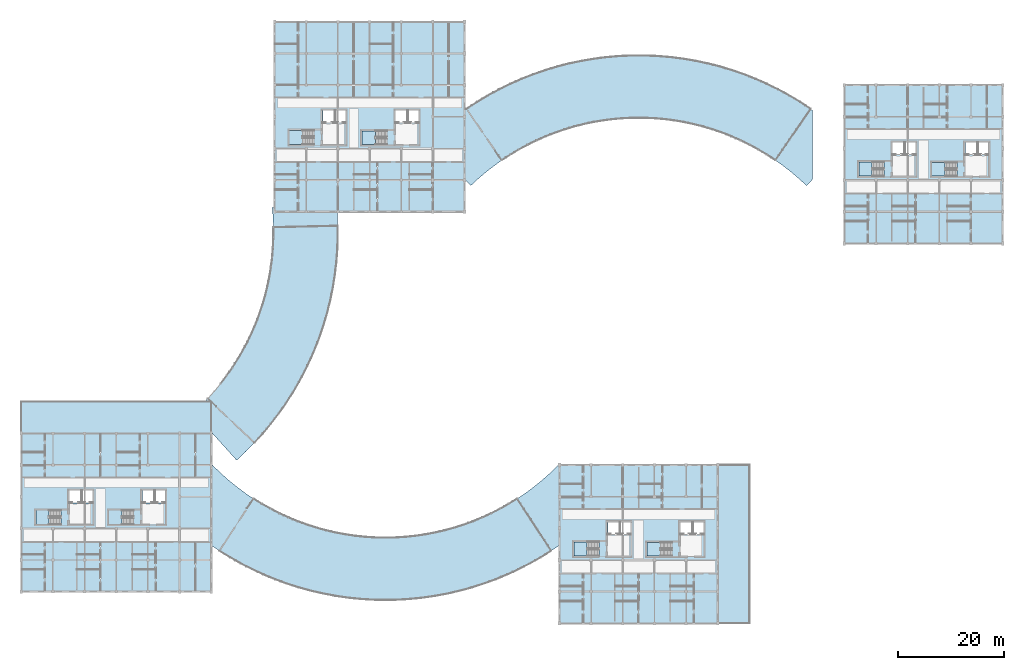
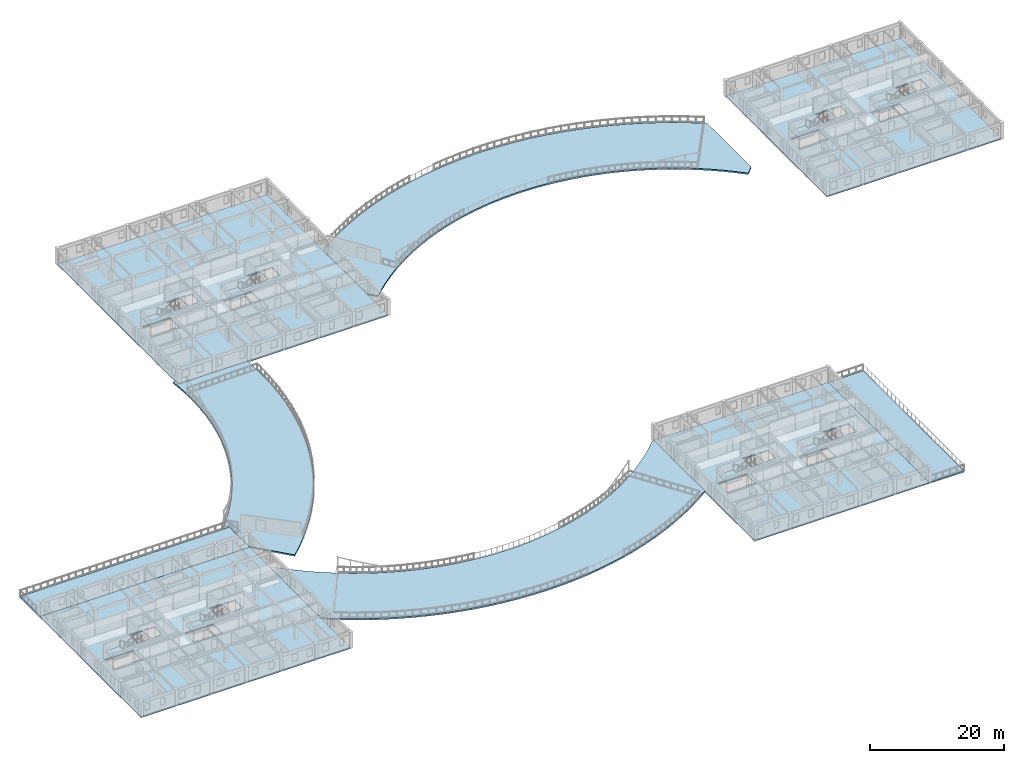
# One storey, part 24 of 58: 17 slabs, 8 elements without a shape of their own.
"""IFC4 building model written with IfcOpenShell, lengths in metres."""

from ifc_helpers import new_model, si_unit, direction, frame, origin, place, context, subcontext, project, spatial, polyline, outline, extrude, material, layer, layer_set, type_object, element, aggregate, save


model = new_model("IFC4")

# Units and contexts
model_context = context("Model", 3, precision=1e-05, world=origin(), true_north=direction((0.0, 1.0)))
body_context = subcontext(model_context, "Body", "Model", "MODEL_VIEW")
ifc_project = project(units=[si_unit("LENGTHUNIT", "METRE"), si_unit("AREAUNIT", "SQUARE_METRE"), si_unit("VOLUMEUNIT", "CUBIC_METRE"), si_unit("PLANEANGLEUNIT", "RADIAN"), si_unit("MASSUNIT", "GRAM", prefix="KILO"), si_unit("POWERUNIT", "WATT"), si_unit("THERMODYNAMICTEMPERATUREUNIT", "KELVIN")], contexts=[model_context])

# Site, building, storey
site_placement = place(None, origin())
site = spatial("IfcSite", under=ifc_project, at=site_placement, CompositionType="ELEMENT")
building_placement = place(site_placement, origin())
building = spatial("IfcBuilding", under=site, at=building_placement, Name="Ruvembo Vaulted Housing Court", CompositionType="ELEMENT")
storey_placement = place(building_placement, frame((0.0, 0.0, 20.5)))
storey = spatial("IfcBuildingStorey", under=building, at=storey_placement, Name="L06", CompositionType="ELEMENT", Elevation=20.5)

# Slabs
ifc_material_1 = material(Name="Concrete C30/37", Category="concrete")
ifc_layer_1 = layer(ifc_material_1, 0.235107421875, Name="Concrete C30/37")
ifc_layer_set_1 = layer_set([ifc_layer_1], Name="Concrete C30/37")
slab_type_1 = type_object("IfcSlabType", Name="SL-FLR-235", PredefinedType="FLOOR", material=ifc_layer_set_1)
slab_1_placement = place(storey_placement, frame((0.0, 0.0, -0.235107421875)))
element("IfcSlab", 1, at=slab_1_placement, inside=storey, type_object=slab_type_1, Name="Block A L06 Structural Floor Slab", PredefinedType="FLOOR", context=body_context, shape_type="SweptSolid", body=[
    extrude(outline(polyline([(36.0, 6.0), (36.0, 36.0), (0.0, 36.0), (0.0, 6.0), (36.0, 6.0)]), holes=[polyline([(7.5, 21.449951171875), (2.75, 21.449951171875), (2.75, 18.75), (7.5, 18.75), (7.5, 21.449951171875)]), polyline([(9.14990234375, 22.85009765625), (11.35009765625, 22.85009765625), (11.35009765625, 25.25), (9.14990234375, 25.25), (9.14990234375, 22.85009765625)]), polyline([(11.60009765625, 22.85009765625), (13.449951171875, 22.85009765625), (13.449951171875, 25.25), (11.60009765625, 25.25), (11.60009765625, 22.85009765625)]), polyline([(21.300048828125, 21.449951171875), (16.550048828125, 21.449951171875), (16.550048828125, 18.75), (21.300048828125, 18.75), (21.300048828125, 21.449951171875)]), polyline([(22.949951171875, 22.85009765625), (25.14990234375, 22.85009765625), (25.14990234375, 25.25), (22.949951171875, 25.25), (22.949951171875, 22.85009765625)]), polyline([(25.39990234375, 22.85009765625), (27.25, 22.85009765625), (27.25, 25.25), (25.39990234375, 25.25), (25.39990234375, 22.85009765625)])]), origin(), (0.0, 0.0, 1.0), 0.235107421875),
])
slab_2_placement = place(storey_placement, frame((0.0, 0.0, -0.235107421875)))
element("IfcSlab", 2, at=slab_2_placement, inside=storey, type_object=slab_type_1, Name="Block B L06 Structural Floor Slab", PredefinedType="FLOOR", context=body_context, shape_type="SweptSolid", body=[
    extrude(outline(polyline([(84.0, 78.0), (84.0, 114.0), (48.0, 114.0), (48.0, 78.0), (84.0, 78.0)]), holes=[polyline([(55.5, 93.449951171875), (50.75, 93.449951171875), (50.75, 90.75), (55.5, 90.75), (55.5, 93.449951171875)]), polyline([(57.14990234375, 94.85009765625), (59.35009765625, 94.85009765625), (59.35009765625, 97.25), (57.14990234375, 97.25), (57.14990234375, 94.85009765625)]), polyline([(59.60009765625, 94.85009765625), (61.449951171875, 94.85009765625), (61.449951171875, 97.25), (59.60009765625, 97.25), (59.60009765625, 94.85009765625)]), polyline([(69.35009765625, 93.35009765625), (64.550048828125, 93.35009765625), (64.550048828125, 90.75), (69.35009765625, 90.75), (69.35009765625, 93.35009765625)]), polyline([(70.949951171875, 94.85009765625), (73.14990234375, 94.85009765625), (73.14990234375, 97.25), (70.949951171875, 97.25), (70.949951171875, 94.85009765625)]), polyline([(73.39990234375, 94.85009765625), (75.25, 94.85009765625), (75.25, 97.25), (73.39990234375, 97.25), (73.39990234375, 94.85009765625)])]), origin(), (0.0, 0.0, 1.0), 0.235107421875),
])
slab_3_placement = place(storey_placement, frame((0.0, 0.0, -0.235107421875)))
element("IfcSlab", 3, at=slab_3_placement, inside=storey, type_object=slab_type_1, Name="Block C L06 Structural Floor Slab", PredefinedType="FLOOR", context=body_context, shape_type="SweptSolid", body=[
    extrude(outline(polyline([(132.0, 0.0), (132.0, 30.0), (102.0, 30.0), (102.0, 0.0), (132.0, 0.0)]), holes=[polyline([(109.5, 15.449951171875), (104.75, 15.449951171875), (104.75, 12.75), (109.5, 12.75), (109.5, 15.449951171875)]), polyline([(111.14990234375, 16.85009765625), (113.35009765625, 16.85009765625), (113.35009765625, 19.25), (111.14990234375, 19.25), (111.14990234375, 16.85009765625)]), polyline([(113.60009765625, 16.85009765625), (115.449951171875, 16.85009765625), (115.449951171875, 19.25), (113.60009765625, 19.25), (113.60009765625, 16.85009765625)]), polyline([(123.35009765625, 15.35009765625), (118.550048828125, 15.35009765625), (118.550048828125, 12.75), (123.35009765625, 12.75), (123.35009765625, 15.35009765625)]), polyline([(124.949951171875, 16.85009765625), (127.14990234375, 16.85009765625), (127.14990234375, 19.25), (124.949951171875, 19.25), (124.949951171875, 16.85009765625)]), polyline([(127.39990234375, 16.85009765625), (129.25, 16.85009765625), (129.25, 19.25), (127.39990234375, 19.25), (127.39990234375, 16.85009765625)])]), origin(), (0.0, 0.0, 1.0), 0.235107421875),
])
slab_4_placement = place(storey_placement, frame((0.0, 0.0, -0.235107421875)))
element("IfcSlab", 4, at=slab_4_placement, inside=storey, type_object=slab_type_1, Name="Block D L06 Structural Floor Slab", PredefinedType="FLOOR", context=body_context, shape_type="SweptSolid", body=[
    extrude(outline(polyline([(186.0, 72.0), (186.0, 102.0), (156.0, 102.0), (156.0, 72.0), (186.0, 72.0)]), holes=[polyline([(163.5, 87.449951171875), (158.75, 87.449951171875), (158.75, 84.75), (163.5, 84.75), (163.5, 87.449951171875)]), polyline([(165.14990234375, 88.85009765625), (167.35009765625, 88.85009765625), (167.35009765625, 91.25), (165.14990234375, 91.25), (165.14990234375, 88.85009765625)]), polyline([(167.60009765625, 88.85009765625), (169.449951171875, 88.85009765625), (169.449951171875, 91.25), (167.60009765625, 91.25), (167.60009765625, 88.85009765625)]), polyline([(177.35009765625, 87.35009765625), (172.550048828125, 87.35009765625), (172.550048828125, 84.75), (177.35009765625, 84.75), (177.35009765625, 87.35009765625)]), polyline([(178.949951171875, 88.85009765625), (181.14990234375, 88.85009765625), (181.14990234375, 91.25), (178.949951171875, 91.25), (178.949951171875, 88.85009765625)]), polyline([(181.39990234375, 88.85009765625), (183.25, 88.85009765625), (183.25, 91.25), (181.39990234375, 91.25), (181.39990234375, 88.85009765625)])]), origin(), (0.0, 0.0, 1.0), 0.235107421875),
])

# Stair, slab
ifc_material_2 = material(Name="Concrete C35/45", Category="concrete")
stair_type_1 = type_object("IfcStairType", Name="STR-CORE-1250", PredefinedType="HALF_TURN_STAIR", material=ifc_material_2)
stair_1_placement = place(storey_placement, origin())
stair_1 = element("IfcStair", 5, at=stair_1_placement, inside=storey, type_object=stair_type_1, Name="L06 Protected Exit Stair ST-A1", PredefinedType="HALF_TURN_STAIR")
ifc_layer_2 = layer(ifc_material_1, 0.201904296875, Name="Concrete C30/37")
ifc_layer_set_2 = layer_set([ifc_layer_2], Name="Concrete C30/37")
slab_type_2 = type_object("IfcSlabType", Name="SL-LAND-202", PredefinedType="LANDING", material=ifc_layer_set_2)
slab_5_placement = place(storey_placement, frame((0.0, 0.0, 1.39990234375)))
slab_5 = element("IfcSlab", 6, at=slab_5_placement, type_object=slab_type_2, Name="ST-A1 landing 1", PredefinedType="LANDING", context=body_context, shape_type="SweptSolid", body=[
    extrude(outline(polyline([(5.260009765625, 21.449951171875), (2.75, 21.449951171875), (2.75, 18.75), (5.260009765625, 18.75), (5.260009765625, 21.449951171875)])), origin(), (0.0, 0.0, 1.0), 0.2001953125),
])
aggregate(stair_1, [slab_5])

stair_2_placement = place(storey_placement, origin())
stair_2 = element("IfcStair", 7, at=stair_2_placement, inside=storey, type_object=stair_type_1, Name="L06 Protected Exit Stair ST-A2", PredefinedType="HALF_TURN_STAIR")
slab_6_placement = place(storey_placement, frame((0.0, 0.0, 1.39990234375)))
slab_6 = element("IfcSlab", 8, at=slab_6_placement, type_object=slab_type_2, Name="ST-A2 landing 1", PredefinedType="LANDING", context=body_context, shape_type="SweptSolid", body=[
    extrude(outline(polyline([(19.06005859375, 21.449951171875), (16.550048828125, 21.449951171875), (16.550048828125, 18.75), (19.06005859375, 18.75), (19.06005859375, 21.449951171875)])), origin(), (0.0, 0.0, 1.0), 0.2001953125),
])
aggregate(stair_2, [slab_6])

stair_3_placement = place(storey_placement, origin())
stair_3 = element("IfcStair", 9, at=stair_3_placement, inside=storey, type_object=stair_type_1, Name="L06 Protected Exit Stair ST-B1", PredefinedType="HALF_TURN_STAIR")
slab_7_placement = place(storey_placement, frame((0.0, 0.0, 1.39990234375)))
slab_7 = element("IfcSlab", 10, at=slab_7_placement, type_object=slab_type_2, Name="ST-B1 landing 1", PredefinedType="LANDING", context=body_context, shape_type="SweptSolid", body=[
    extrude(outline(polyline([(53.260009765625, 93.449951171875), (50.75, 93.449951171875), (50.75, 90.75), (53.260009765625, 90.75), (53.260009765625, 93.449951171875)])), origin(), (0.0, 0.0, 1.0), 0.2001953125),
])
aggregate(stair_3, [slab_7])

stair_type_2 = type_object("IfcStairType", Name="STR-CORE-1200", PredefinedType="HALF_TURN_STAIR", material=ifc_material_2)
stair_4_placement = place(storey_placement, origin())
stair_4 = element("IfcStair", 11, at=stair_4_placement, inside=storey, type_object=stair_type_2, Name="L06 Protected Exit Stair ST-B2", PredefinedType="HALF_TURN_STAIR")
slab_8_placement = place(storey_placement, frame((0.0, 0.0, 1.39990234375)))
slab_8 = element("IfcSlab", 12, at=slab_8_placement, type_object=slab_type_2, Name="ST-B2 landing 1", PredefinedType="LANDING", context=body_context, shape_type="SweptSolid", body=[
    extrude(outline(polyline([(67.110107421875, 93.35009765625), (64.550048828125, 93.35009765625), (64.550048828125, 90.75), (67.110107421875, 90.75), (67.110107421875, 93.35009765625)])), origin(), (0.0, 0.0, 1.0), 0.2001953125),
])
aggregate(stair_4, [slab_8])

stair_5_placement = place(storey_placement, origin())
stair_5 = element("IfcStair", 13, at=stair_5_placement, inside=storey, type_object=stair_type_1, Name="L06 Protected Exit Stair ST-C1", PredefinedType="HALF_TURN_STAIR")
slab_9_placement = place(storey_placement, frame((0.0, 0.0, 1.39990234375)))
slab_9 = element("IfcSlab", 14, at=slab_9_placement, type_object=slab_type_2, Name="ST-C1 landing 1", PredefinedType="LANDING", context=body_context, shape_type="SweptSolid", body=[
    extrude(outline(polyline([(107.260009765625, 15.449951171875), (104.75, 15.449951171875), (104.75, 12.75), (107.260009765625, 12.75), (107.260009765625, 15.449951171875)])), origin(), (0.0, 0.0, 1.0), 0.2001953125),
])
aggregate(stair_5, [slab_9])

stair_6_placement = place(storey_placement, origin())
stair_6 = element("IfcStair", 15, at=stair_6_placement, inside=storey, type_object=stair_type_2, Name="L06 Protected Exit Stair ST-C2", PredefinedType="HALF_TURN_STAIR")
slab_10_placement = place(storey_placement, frame((0.0, 0.0, 1.39990234375)))
slab_10 = element("IfcSlab", 16, at=slab_10_placement, type_object=slab_type_2, Name="ST-C2 landing 1", PredefinedType="LANDING", context=body_context, shape_type="SweptSolid", body=[
    extrude(outline(polyline([(121.110107421875, 15.35009765625), (118.550048828125, 15.35009765625), (118.550048828125, 12.75), (121.110107421875, 12.75), (121.110107421875, 15.35009765625)])), origin(), (0.0, 0.0, 1.0), 0.2001953125),
])
aggregate(stair_6, [slab_10])

stair_7_placement = place(storey_placement, origin())
stair_7 = element("IfcStair", 17, at=stair_7_placement, inside=storey, type_object=stair_type_1, Name="L06 Protected Exit Stair ST-D1", PredefinedType="HALF_TURN_STAIR")
slab_11_placement = place(storey_placement, frame((0.0, 0.0, 1.39990234375)))
slab_11 = element("IfcSlab", 18, at=slab_11_placement, type_object=slab_type_2, Name="ST-D1 landing 1", PredefinedType="LANDING", context=body_context, shape_type="SweptSolid", body=[
    extrude(outline(polyline([(161.260009765625, 87.449951171875), (158.75, 87.449951171875), (158.75, 84.75), (161.260009765625, 84.75), (161.260009765625, 87.449951171875)])), origin(), (0.0, 0.0, 1.0), 0.2001953125),
])
aggregate(stair_7, [slab_11])

stair_8_placement = place(storey_placement, origin())
stair_8 = element("IfcStair", 19, at=stair_8_placement, inside=storey, type_object=stair_type_2, Name="L06 Protected Exit Stair ST-D2", PredefinedType="HALF_TURN_STAIR")
slab_12_placement = place(storey_placement, frame((0.0, 0.0, 1.39990234375)))
slab_12 = element("IfcSlab", 20, at=slab_12_placement, type_object=slab_type_2, Name="ST-D2 landing 1", PredefinedType="LANDING", context=body_context, shape_type="SweptSolid", body=[
    extrude(outline(polyline([(175.110107421875, 87.35009765625), (172.550048828125, 87.35009765625), (172.550048828125, 84.75), (175.110107421875, 84.75), (175.110107421875, 87.35009765625)])), origin(), (0.0, 0.0, 1.0), 0.2001953125),
])
aggregate(stair_8, [slab_12])

# Slabs
ifc_layer_3 = layer(ifc_material_1, 0.260009765625, Name="Concrete C30/37")
ifc_layer_set_3 = layer_set([ifc_layer_3], Name="Concrete C30/37")
slab_type_3 = type_object("IfcSlabType", Name="SL-TER-260", PredefinedType="FLOOR", material=ifc_layer_set_3)
slab_13_placement = place(storey_placement, frame((0.0, 0.0, -0.260009765625)))
element("IfcSlab", 21, at=slab_13_placement, inside=storey, type_object=slab_type_3, Name="Block C L06 Planted Roof Garden Slab", PredefinedType="FLOOR", context=body_context, shape_type="SweptSolid", body=[
    extrude(outline(polyline([(132.0, 0.0), (138.0, 0.0), (138.0, 30.0), (132.0, 30.0), (132.0, 0.0)])), origin(), (0.0, 0.0, 1.0), 0.260009765625),
])
slab_14_placement = place(storey_placement, frame((0.0, 0.0, -0.260009765625)))
element("IfcSlab", 22, at=slab_14_placement, inside=storey, type_object=slab_type_3, Name="Scoop SC1 L06 Landscaped Courtyard Roof Terrace", PredefinedType="FLOOR", context=body_context, shape_type="SweptSolid", body=[
    extrude(outline(polyline([(49.822998046875, 78.0), (48.0, 78.0), (48.0, 78.834716796875), (47.549072265625, 78.787353515625), (47.70703125, 76.91748046875), (47.7880859375, 75.04248046875), (47.79248046875, 73.166015625), (47.7197265625, 71.290771484375), (47.5703125, 69.419921875), (47.344482421875, 67.556884765625), (47.04248046875, 65.704833984375), (46.664794921875, 63.86669921875), (46.21240234375, 62.04541015625), (45.685546875, 60.244140625), (45.085205078125, 58.46630859375), (44.41259765625, 56.714111328125), (43.6689453125, 54.9912109375), (42.855224609375, 53.30029296875), (41.972900390625, 51.643798828125), (41.023681640625, 50.025146484375), (40.0087890625, 48.446533203125), (38.929931640625, 46.910888671875), (37.789306640625, 45.4208984375), (36.58837890625, 43.978759765625), (35.32958984375, 42.5869140625), (34.753173828125, 42.0), (36.0, 42.0), (36.0, 40.13037109375), (36.0, 36.2392578125), (40.8095703125, 30.897705078125), (42.542724609375, 32.523681640625), (44.207763671875, 34.21923828125), (45.802001953125, 35.981689453125), (47.32275390625, 37.80810546875), (48.767333984375, 39.6953125), (50.13330078125, 41.639892578125), (51.418701171875, 43.638916015625), (52.620849609375, 45.688720703125), (53.73828125, 47.786376953125), (54.7685546875, 49.927734375), (55.71044921875, 52.109619140625), (56.56201171875, 54.328369140625), (57.322265625, 56.580078125), (57.989501953125, 58.861083984375), (58.5625, 61.16748046875), (59.040771484375, 63.495361328125), (59.423095703125, 65.8408203125), (59.709228515625, 68.199951171875), (59.8984375, 70.569091796875), (59.990478515625, 72.94384765625), (59.985107421875, 75.3203125), (59.882080078125, 77.694580078125), (59.8564453125, 78.0), (49.822998046875, 78.0)])), origin(), (0.0, 0.0, 1.0), 0.260009765625),
])
slab_15_placement = place(storey_placement, frame((0.0, 0.0, -0.260009765625)))
element("IfcSlab", 23, at=slab_15_placement, inside=storey, type_object=slab_type_3, Name="Scoop SC2 L06 Landscaped Courtyard Roof Terrace", PredefinedType="FLOOR", context=body_context, shape_type="SweptSolid", body=[
    extrude(outline(polyline([(102.0, 27.156494140625), (102.0, 30.2548828125), (101.333984375, 29.563232421875), (99.96875, 28.25732421875), (98.55078125, 27.0087890625), (97.08251953125, 25.81982421875), (95.566650390625, 24.6923828125), (94.00537109375, 23.62841796875), (92.401611328125, 22.6298828125), (90.758056640625, 21.6982421875), (89.077392578125, 20.835205078125), (87.362548828125, 20.042236328125), (85.61669921875, 19.320556640625), (83.84228515625, 18.671630859375), (82.042724609375, 18.096435546875), (80.220947265625, 17.595703125), (78.380126953125, 17.1708984375), (76.523193359375, 16.822021484375), (74.65380859375, 16.55029296875), (72.7744140625, 16.355712890625), (70.888916015625, 16.239013671875), (69.0, 16.199951171875), (67.111083984375, 16.239013671875), (65.2255859375, 16.355712890625), (63.34619140625, 16.55029296875), (61.476806640625, 16.822021484375), (59.619873046875, 17.1708984375), (57.779052734375, 17.595703125), (55.957275390625, 18.096435546875), (54.15771484375, 18.671630859375), (52.38330078125, 19.320556640625), (50.637451171875, 20.042236328125), (48.922607421875, 20.835205078125), (47.241943359375, 21.6982421875), (45.598388671875, 22.6298828125), (43.99462890625, 23.62841796875), (42.433349609375, 24.6923828125), (40.91748046875, 25.81982421875), (39.44921875, 27.0087890625), (38.03125, 28.25732421875), (36.666015625, 29.563232421875), (36.0, 30.2548828125), (36.0, 27.156494140625), (36.0, 14.80029296875), (37.55224609375, 13.742431640625), (39.569091796875, 12.486572265625), (41.63623046875, 11.31494140625), (43.749755859375, 10.2294921875), (45.906494140625, 9.232177734375), (48.102294921875, 8.32470703125), (50.333740234375, 7.50830078125), (52.596923828125, 6.784912109375), (54.887939453125, 6.155517578125), (57.203125, 5.62109375), (59.538330078125, 5.182373046875), (61.8896484375, 4.840576171875), (64.2529296875, 4.595947265625), (66.62451171875, 4.448974609375), (69.0, 4.39990234375), (71.37548828125, 4.448974609375), (73.7470703125, 4.595947265625), (76.1103515625, 4.840576171875), (78.461669921875, 5.182373046875), (80.796875, 5.62109375), (83.112060546875, 6.155517578125), (85.403076171875, 6.784912109375), (87.666259765625, 7.50830078125), (89.897705078125, 8.32470703125), (92.093505859375, 9.232177734375), (94.250244140625, 10.2294921875), (96.36376953125, 11.31494140625), (98.430908203125, 12.486572265625), (100.44775390625, 13.742431640625), (102.0, 14.80029296875), (102.0, 27.156494140625)])), origin(), (0.0, 0.0, 1.0), 0.260009765625),
])
slab_16_placement = place(storey_placement, frame((0.0, 0.0, -0.260009765625)))
element("IfcSlab", 24, at=slab_16_placement, inside=storey, type_object=slab_type_3, Name="Scoop SC3 L06 Landscaped Courtyard Roof Terrace", PredefinedType="FLOOR", context=body_context, shape_type="SweptSolid", body=[
    extrude(outline(polyline([(150.0, 84.8466796875), (150.0, 97.2001953125), (149.61376953125, 97.477294921875), (147.615478515625, 98.789794921875), (145.564453125, 100.018310546875), (143.464111328125, 101.16064453125), (141.318115234375, 102.21484375), (139.13037109375, 103.178955078125), (136.904541015625, 104.051513671875), (134.644287109375, 104.8310546875), (132.353759765625, 105.51611328125), (130.03662109375, 106.105224609375), (127.697021484375, 106.597900390625), (125.339111328125, 106.9931640625), (122.966796875, 107.2900390625), (120.584228515625, 107.48828125), (118.1953125, 107.587646484375), (115.8046875, 107.587646484375), (113.415771484375, 107.48828125), (111.033203125, 107.2900390625), (108.660888671875, 106.9931640625), (106.302978515625, 106.597900390625), (103.96337890625, 106.105224609375), (101.646240234375, 105.51611328125), (99.355712890625, 104.8310546875), (97.095458984375, 104.051513671875), (94.86962890625, 103.178955078125), (92.681884765625, 102.21484375), (90.535888671875, 101.16064453125), (88.435546875, 100.018310546875), (86.384521484375, 98.789794921875), (84.38623046875, 97.477294921875), (84.0, 97.2001953125), (84.0, 84.8466796875), (84.0, 84.172607421875), (85.1845703125, 82.94580078125), (86.579345703125, 84.23779296875), (88.0263671875, 85.470703125), (89.523193359375, 86.642333984375), (91.0673828125, 87.751220703125), (92.656494140625, 88.794677734375), (94.287353515625, 89.771484375), (95.95751953125, 90.6796875), (97.663818359375, 91.51806640625), (99.4033203125, 92.28466796875), (101.173095703125, 92.978515625), (102.970458984375, 93.598388671875), (104.791748046875, 94.142822265625), (106.634033203125, 94.611572265625), (108.494384765625, 95.00341796875), (110.369140625, 95.3173828125), (112.255615234375, 95.5537109375), (114.150146484375, 95.711181640625), (116.049560546875, 95.7900390625), (117.950439453125, 95.7900390625), (119.849853515625, 95.711181640625), (121.744384765625, 95.5537109375), (123.630859375, 95.3173828125), (125.505615234375, 95.00341796875), (127.365966796875, 94.611572265625), (129.208251953125, 94.142822265625), (131.029541015625, 93.598388671875), (132.826904296875, 92.978515625), (134.5966796875, 92.28466796875), (136.336181640625, 91.51806640625), (138.04248046875, 90.6796875), (139.712646484375, 89.771484375), (141.343505859375, 88.794677734375), (142.9326171875, 87.751220703125), (144.476806640625, 86.642333984375), (145.9736328125, 85.470703125), (147.420654296875, 84.23779296875), (148.8154296875, 82.94580078125), (150.0, 84.172607421875), (150.0, 84.8466796875)])), origin(), (0.0, 0.0, 1.0), 0.260009765625),
])
ifc_layer_4 = layer(ifc_material_1, 0.264892578125, Name="Concrete C30/37")
ifc_layer_set_4 = layer_set([ifc_layer_4], Name="Concrete C30/37")
slab_type_4 = type_object("IfcSlabType", Name="SL-TER-265", PredefinedType="FLOOR", material=ifc_layer_set_4)
slab_17_placement = place(storey_placement, frame((0.0, 0.0, -0.264892578125)))
element("IfcSlab", 25, at=slab_17_placement, inside=storey, type_object=slab_type_4, Name="Block A L06 Planted Roof Garden Slab", PredefinedType="FLOOR", context=body_context, shape_type="SweptSolid", body=[
    extrude(outline(polyline([(0.0, 36.0), (36.0, 36.0), (36.0, 42.0), (0.0, 42.0), (0.0, 36.0)])), origin(), (0.0, 0.0, 1.0), 0.264892578125),
])

save(model, "model.ifc")
